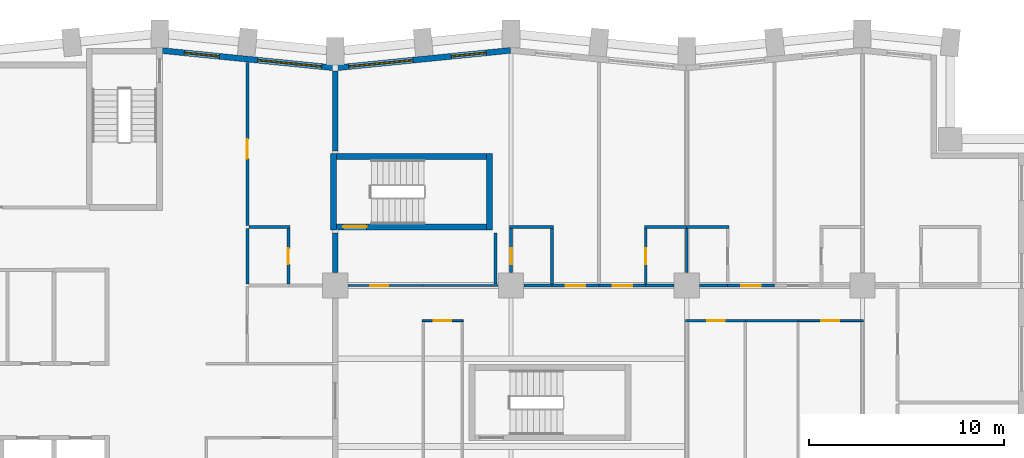
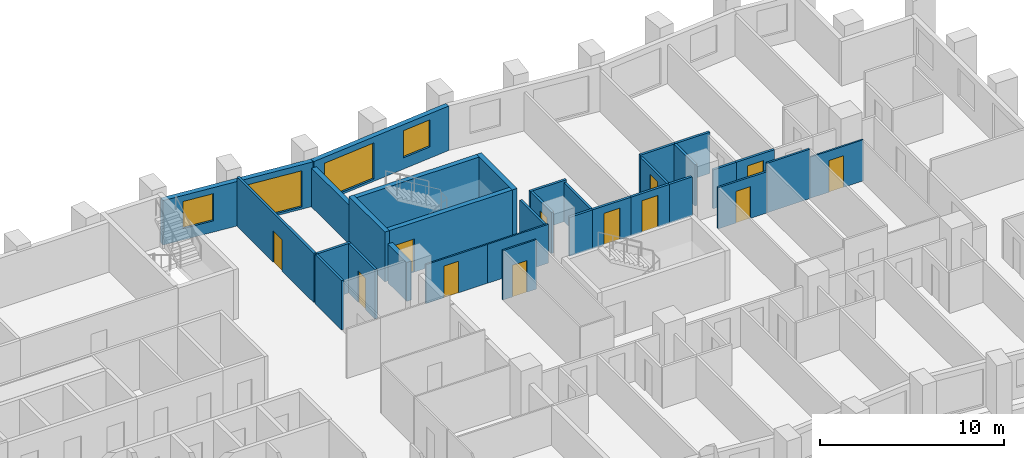
# One storey, part 9 of 13: 32 walls, 12 doors, 4 windows, 16 openings.
"""IFC4 building model written with IfcOpenShell, lengths in metres."""

from ifc_helpers import new_model, si_unit, direction, frame, frame_2d, origin, place, context, subcontext, project, spatial, rectangle, extrude, material, layer, layer_set, type_object, element, fill, save


model = new_model("IFC4")

# Units and contexts
model_context = context("Model", 3, precision=1e-05, world=origin(), true_north=direction((0.0, 1.0)))
body_context = subcontext(model_context, "Body", "Model", "MODEL_VIEW")
ifc_project = project(units=[si_unit("LENGTHUNIT", "METRE"), si_unit("AREAUNIT", "SQUARE_METRE"), si_unit("VOLUMEUNIT", "CUBIC_METRE"), si_unit("PLANEANGLEUNIT", "RADIAN"), si_unit("MASSUNIT", "GRAM", prefix="KILO")], contexts=[model_context])

# Site, building, storey
site_placement = place(None, origin())
site = spatial("IfcSite", under=ifc_project, at=site_placement, CompositionType="ELEMENT")
building_placement = place(site_placement, origin())
building = spatial("IfcBuilding", under=site, at=building_placement, Name="Brondeck Convention Tower", CompositionType="ELEMENT")
storey_placement = place(building_placement, frame((0.0, 0.0, 41.10009765625)))
storey = spatial("IfcBuildingStorey", under=building, at=storey_placement, Name="L07", CompositionType="ELEMENT", Elevation=41.10009765625)

# Walls
ifc_material_1 = material(Name="Concrete compartment wall C30/37", Category="concrete")
ifc_layer_1 = layer(ifc_material_1, 0.300048828125)
ifc_layer_set_1 = layer_set([ifc_layer_1], Name="Compartment wall 300")
wall_type_1 = type_object("IfcWallType", Name="Compartment wall 300", PredefinedType="PARTITIONING", material=ifc_layer_set_1)
wall_1_placement = place(storey_placement, frame((36.0, 53.699951171875, 0.0), z_axis=(0.0, 0.0, 1.0), x_axis=(0.0, -1.0, 0.0)))
element("IfcWall", 1, at=wall_1_placement, inside=storey, type_object=wall_type_1, Name="FLR-L07-W147", PredefinedType="PARTITIONING", context=body_context, shape_type="SweptSolid", body=[
    extrude(rectangle(XDim=2.044921875, YDim=0.300048828125, at=frame_2d((1.0224609375, 0.0))), origin(), (0.0, 0.0, 1.0), 2.579833984375),
])
wall_2_placement = place(storey_placement, frame((36.0, 61.97509765625, 0.0), z_axis=(0.0, 0.0, 1.0), x_axis=(0.0, -1.0, 0.0)))
element("IfcWall", 2, at=wall_2_placement, inside=storey, type_object=wall_type_1, Name="FLR-L07-W162", PredefinedType="PARTITIONING", context=body_context, shape_type="SweptSolid", body=[
    extrude(rectangle(XDim=4.0751953125, YDim=0.300048828125, at=frame_2d((2.03759765625, 0.0))), origin(), (0.0, 0.0, 1.0), 2.579833984375),
])

# Wall, openings, windows
ifc_material_2 = material(Name="Precast concrete C50/60 bronze finish", Category="concrete")
ifc_layer_2 = layer(ifc_material_2, 0.070068359375, Name="Bronze precast facing")
ifc_material_3 = material(Name="Mineral wool")
ifc_layer_3 = layer(ifc_material_3, 0.159912109375, Name="Insulation")
ifc_material_4 = material(Name="Concrete C35/45", Category="concrete")
ifc_layer_4 = layer(ifc_material_4, 0.070068359375, Name="Backing")
ifc_layer_set_2 = layer_set([ifc_layer_2, ifc_layer_3, ifc_layer_4], Name="External infill wall, precast concrete C50/60 bronze facing")
wall_type_2 = type_object("IfcWallType", Name="External infill wall, precast concrete C50/60 bronze facing", PredefinedType="SOLIDWALL", material=ifc_layer_set_2)
wall_3_placement = place(storey_placement, frame((35.985107421875, 62.144287109375, 0.0), z_axis=(0.0, 0.0, 1.0), x_axis=(0.995037993253, 0.099495688264, 0.0)))
wall_3 = element("IfcWall", 3, at=wall_3_placement, inside=storey, type_object=wall_type_2, Name="ENV-EW-L07-P0-A-N-09", PredefinedType="SOLIDWALL", context=body_context, shape_type="SweptSolid", body=[
    extrude(rectangle(XDim=9.030029296875, YDim=0.300048828125, at=frame_2d((4.51513671875, 0.0))), origin(), (0.0, 0.0, 1.0), 2.949951171875),
])
opening_1_placement = place(wall_3_placement, frame((0.711181640625, 0.0, 0.14990234375)))
opening_1 = element("IfcOpeningElement", 4, at=opening_1_placement, cuts=wall_3, Name="Opening W9", PredefinedType="OPENING", context=body_context, shape_type="SweptSolid", body=[
    extrude(rectangle(XDim=3.300048828125, YDim=2.39990234375, at=frame_2d((1.64990234375, 1.199951171875))), frame((0.0, 0.159912109375, 0.0), z_axis=(0.0, -1.0, 0.0), x_axis=(1.0, 0.0, 0.0)), (0.0, 0.0, 1.0), 0.320068359375),
])
opening_2_placement = place(wall_3_placement, frame((5.983642578125, 0.0, 0.75)))
opening_2 = element("IfcOpeningElement", 5, at=opening_2_placement, cuts=wall_3, Name="Opening W10", PredefinedType="OPENING", context=body_context, shape_type="SweptSolid", body=[
    extrude(rectangle(XDim=1.800048828125, YDim=1.800048828125, at=frame_2d((0.89990234375, 0.89990234375))), frame((0.0, 0.159912109375, 0.0), z_axis=(0.0, -1.0, 0.0), x_axis=(1.0, 0.0, 0.0)), (0.0, 0.0, 1.0), 0.320068359375),
])
ifc_material_5 = material(Name="Bronze tinted double glazing", Category="glass")
window_type_1 = type_object("IfcWindowType", Name="Glazed flute window, bronze tinted", PartitioningType="SINGLE_PANEL", PredefinedType="WINDOW", material=ifc_material_5)
window_1_placement = place(opening_1_placement, origin())
window_1 = element("IfcWindow", 6, at=window_1_placement, inside=storey, type_object=window_type_1, Name="ENV-WN-L07-P0-A-N-08", OverallHeight=2.39990234375, OverallWidth=3.300048828125, PartitioningType="SINGLE_PANEL", PredefinedType="WINDOW", context=body_context, shape_type="SweptSolid", body=[
    extrude(rectangle(XDim=3.300048828125, YDim=2.39990234375, at=frame_2d((1.64990234375, 1.199951171875))), frame((0.0, 0.030029296875, 0.0), z_axis=(0.0, -1.0, 0.0), x_axis=(1.0, 0.0, 0.0)), (0.0, 0.0, 1.0), 0.06005859375),
])
fill(opening_1, window_1)
window_type_2 = type_object("IfcWindowType", Name="Punched window, bronze tinted", PartitioningType="SINGLE_PANEL", PredefinedType="WINDOW", material=ifc_material_5)
window_2_placement = place(opening_2_placement, origin())
window_2 = element("IfcWindow", 7, at=window_2_placement, inside=storey, type_object=window_type_2, Name="ENV-WN-L07-P0-A-N-09", OverallHeight=1.800048828125, OverallWidth=1.800048828125, PartitioningType="SINGLE_PANEL", PredefinedType="WINDOW", context=body_context, shape_type="SweptSolid", body=[
    extrude(rectangle(XDim=1.800048828125, YDim=1.800048828125, at=frame_2d((0.89990234375, 0.89990234375))), frame((0.0, 0.030029296875, 0.0), z_axis=(0.0, -1.0, 0.0), x_axis=(1.0, 0.0, 0.0)), (0.0, 0.0, 1.0), 0.06005859375),
])
fill(opening_2, window_2)

wall_4_placement = place(storey_placement, frame((27.064697265625, 63.039306640625, 0.0), z_axis=(0.0, 0.0, 1.0), x_axis=(0.995036379926, -0.099511821531, 0.0)))
wall_4 = element("IfcWall", 8, at=wall_4_placement, inside=storey, type_object=wall_type_2, Name="ENV-EW-L07-P0-A-N-07", PredefinedType="SOLIDWALL", context=body_context, shape_type="SweptSolid", body=[
    extrude(rectangle(XDim=8.949951171875, YDim=0.300048828125, at=frame_2d((4.47509765625, 0.0))), origin(), (0.0, 0.0, 1.0), 2.949951171875),
])
opening_3_placement = place(wall_4_placement, frame((1.211181640625, 0.0, 0.75)))
opening_3 = element("IfcOpeningElement", 9, at=opening_3_placement, cuts=wall_4, Name="Opening W10", PredefinedType="OPENING", context=body_context, shape_type="SweptSolid", body=[
    extrude(rectangle(XDim=1.800048828125, YDim=1.800048828125, at=frame_2d((0.89990234375, 0.89990234375))), frame((0.0, 0.159912109375, 0.0), z_axis=(0.0, -1.0, 0.0), x_axis=(1.0, 0.0, 0.0)), (0.0, 0.0, 1.0), 0.320068359375),
])
opening_4_placement = place(wall_4_placement, frame((4.983642578125, 0.0, 0.14990234375)))
opening_4 = element("IfcOpeningElement", 10, at=opening_4_placement, cuts=wall_4, Name="Opening W9", PredefinedType="OPENING", context=body_context, shape_type="SweptSolid", body=[
    extrude(rectangle(XDim=3.300048828125, YDim=2.39990234375, at=frame_2d((1.64990234375, 1.199951171875))), frame((0.0, 0.159912109375, 0.0), z_axis=(0.0, -1.0, 0.0), x_axis=(1.0, 0.0, 0.0)), (0.0, 0.0, 1.0), 0.320068359375),
])
window_3_placement = place(opening_4_placement, origin())
window_3 = element("IfcWindow", 11, at=window_3_placement, inside=storey, type_object=window_type_1, Name="ENV-WN-L07-P0-A-N-07", OverallHeight=2.39990234375, OverallWidth=3.300048828125, PartitioningType="SINGLE_PANEL", PredefinedType="WINDOW", context=body_context, shape_type="SweptSolid", body=[
    extrude(rectangle(XDim=3.300048828125, YDim=2.39990234375, at=frame_2d((1.64990234375, 1.199951171875))), frame((0.0, 0.030029296875, 0.0), z_axis=(0.0, -1.0, 0.0), x_axis=(1.0, 0.0, 0.0)), (0.0, 0.0, 1.0), 0.06005859375),
])
fill(opening_4, window_3)
window_4_placement = place(opening_3_placement, origin())
window_4 = element("IfcWindow", 12, at=window_4_placement, inside=storey, type_object=window_type_2, Name="ENV-WN-L07-P0-A-N-06", OverallHeight=1.800048828125, OverallWidth=1.800048828125, PartitioningType="SINGLE_PANEL", PredefinedType="WINDOW", context=body_context, shape_type="SweptSolid", body=[
    extrude(rectangle(XDim=1.800048828125, YDim=1.800048828125, at=frame_2d((0.89990234375, 0.89990234375))), frame((0.0, 0.030029296875, 0.0), z_axis=(0.0, -1.0, 0.0), x_axis=(1.0, 0.0, 0.0)), (0.0, 0.0, 1.0), 0.06005859375),
])
fill(opening_3, window_4)

# Wall
ifc_material_6 = material(Name="Double gypsum board acoustic wall")
ifc_layer_5 = layer(ifc_material_6, 0.14990234375)
ifc_layer_set_3 = layer_set([ifc_layer_5], Name="Guest room party wall 150")
wall_type_3 = type_object("IfcWallType", Name="Guest room party wall 150", PredefinedType="PARTITIONING", material=ifc_layer_set_3)
wall_5_placement = place(storey_placement, frame((45.655029296875, 51.0, 0.0), z_axis=(0.0, 0.0, 1.0), x_axis=(1.0, 0.0, 0.0)))
element("IfcWall", 13, at=wall_5_placement, inside=storey, type_object=wall_type_3, Name="FLR-L07-W133", PredefinedType="PARTITIONING", context=body_context, shape_type="SweptSolid", body=[
    extrude(rectangle(XDim=1.445068359375, YDim=0.14990234375, at=frame_2d((0.72265625, 0.0))), origin(), (0.0, 0.0, 1.0), 2.579833984375),
])

# Wall, opening, door
wall_6_placement = place(storey_placement, frame((47.10009765625, 51.0, 0.0), z_axis=(0.0, 0.0, 1.0), x_axis=(1.0, 0.0, 0.0)))
wall_6 = element("IfcWall", 14, at=wall_6_placement, inside=storey, type_object=wall_type_3, Name="FLR-L07-W134", PredefinedType="PARTITIONING", context=body_context, shape_type="SweptSolid", body=[
    extrude(rectangle(XDim=2.39990234375, YDim=0.14990234375, at=frame_2d((1.199951171875, 0.0))), origin(), (0.0, 0.0, 1.0), 2.579833984375),
])
opening_5_placement = place(wall_6_placement, frame((0.699951171875, 0.0, 0.0)))
opening_5 = element("IfcOpeningElement", 15, at=opening_5_placement, cuts=wall_6, Name="Opening H1-002", PredefinedType="OPENING", context=body_context, shape_type="SweptSolid", body=[
    extrude(rectangle(XDim=1.0, YDim=2.10009765625, at=frame_2d((0.5, 1.050048828125))), frame((0.0, 0.0849609375, 0.0), z_axis=(0.0, -1.0, 0.0), x_axis=(1.0, 0.0, 0.0)), (0.0, 0.0, 1.0), 0.169921875),
])
ifc_material_7 = material(Name="Solid timber fire door leaf", Category="wood")
door_type_1 = type_object("IfcDoorType", Name="Guest room door 1000", OperationType="NOTDEFINED", PredefinedType="DOOR", material=ifc_material_7)
door_1_placement = place(opening_5_placement, origin())
door_1 = element("IfcDoor", 16, at=door_1_placement, inside=storey, type_object=door_type_1, Name="Door H1-002", OperationType="SINGLE_SWING_LEFT", OverallHeight=2.10009765625, OverallWidth=1.0, PredefinedType="DOOR", context=body_context, shape_type="SweptSolid", body=[
    extrude(rectangle(XDim=1.0, YDim=2.10009765625, at=frame_2d((0.5, 1.050048828125))), frame((0.0, 0.02490234375, 0.0), z_axis=(0.0, -1.0, 0.0), x_axis=(1.0, 0.0, 0.0)), (0.0, 0.0, 1.0), 0.050048828125),
])
fill(opening_5, door_1)

wall_7_placement = place(storey_placement, frame((49.5, 51.0, 0.0), z_axis=(0.0, 0.0, 1.0), x_axis=(1.0, 0.0, 0.0)))
wall_7 = element("IfcWall", 17, at=wall_7_placement, inside=storey, type_object=wall_type_3, Name="FLR-L07-W135", PredefinedType="PARTITIONING", context=body_context, shape_type="SweptSolid", body=[
    extrude(rectangle(XDim=2.39990234375, YDim=0.14990234375, at=frame_2d((1.199951171875, 0.0))), origin(), (0.0, 0.0, 1.0), 2.579833984375),
])
opening_6_placement = place(wall_7_placement, frame((0.699951171875, 0.0, 0.0)))
opening_6 = element("IfcOpeningElement", 18, at=opening_6_placement, cuts=wall_7, Name="Opening H1-004", PredefinedType="OPENING", context=body_context, shape_type="SweptSolid", body=[
    extrude(rectangle(XDim=1.0, YDim=2.10009765625, at=frame_2d((0.5, 1.050048828125))), frame((0.0, 0.0849609375, 0.0), z_axis=(0.0, -1.0, 0.0), x_axis=(1.0, 0.0, 0.0)), (0.0, 0.0, 1.0), 0.169921875),
])
door_2_placement = place(opening_6_placement, origin())
door_2 = element("IfcDoor", 19, at=door_2_placement, inside=storey, type_object=door_type_1, Name="Door H1-004", OperationType="SINGLE_SWING_LEFT", OverallHeight=2.10009765625, OverallWidth=1.0, PredefinedType="DOOR", context=body_context, shape_type="SweptSolid", body=[
    extrude(rectangle(XDim=1.0, YDim=2.10009765625, at=frame_2d((0.5, 1.050048828125))), frame((0.0, 0.02490234375, 0.0), z_axis=(0.0, -1.0, 0.0), x_axis=(1.0, 0.0, 0.0)), (0.0, 0.0, 1.0), 0.050048828125),
])
fill(opening_6, door_2)

# Walls
for number, where, z_axis, x_axis, name in (
    (20, (51.89990234375, 51.0, 0.0), (0.0, 0.0, 1.0), (1.0, 0.0, 0.0), "FLR-L07-W136"),
    (21, (54.655029296875, 51.0, 0.0), (0.0, 0.0, 1.0), (1.0, 0.0, 0.0), "FLR-L07-W137"),
):
    element("IfcWall", number, at=place(storey_placement, frame(where, z_axis=z_axis, x_axis=x_axis)), inside=storey, type_object=wall_type_3, Name=name, PredefinedType="PARTITIONING", context=body_context, shape_type="SweptSolid", body=[
        extrude(rectangle(XDim=1.445068359375, YDim=0.14990234375, at=frame_2d((0.72265625, 0.0))), origin(), (0.0, 0.0, 1.0), 2.579833984375),
    ])

# Wall, opening, door
wall_8_placement = place(storey_placement, frame((56.10009765625, 51.0, 0.0), z_axis=(0.0, 0.0, 1.0), x_axis=(1.0, 0.0, 0.0)))
wall_8 = element("IfcWall", 22, at=wall_8_placement, inside=storey, type_object=wall_type_3, Name="FLR-L07-W138", PredefinedType="PARTITIONING", context=body_context, shape_type="SweptSolid", body=[
    extrude(rectangle(XDim=2.39990234375, YDim=0.14990234375, at=frame_2d((1.199951171875, 0.0))), origin(), (0.0, 0.0, 1.0), 2.579833984375),
])
opening_7_placement = place(wall_8_placement, frame((0.699951171875, 0.0, 0.0)))
opening_7 = element("IfcOpeningElement", 23, at=opening_7_placement, cuts=wall_8, Name="Opening H1-006", PredefinedType="OPENING", context=body_context, shape_type="SweptSolid", body=[
    extrude(rectangle(XDim=1.0, YDim=2.10009765625, at=frame_2d((0.5, 1.050048828125))), frame((0.0, 0.0849609375, 0.0), z_axis=(0.0, -1.0, 0.0), x_axis=(1.0, 0.0, 0.0)), (0.0, 0.0, 1.0), 0.169921875),
])
door_3_placement = place(opening_7_placement, origin())
door_3 = element("IfcDoor", 24, at=door_3_placement, inside=storey, type_object=door_type_1, Name="Door H1-006", OperationType="SINGLE_SWING_LEFT", OverallHeight=2.10009765625, OverallWidth=1.0, PredefinedType="DOOR", context=body_context, shape_type="SweptSolid", body=[
    extrude(rectangle(XDim=1.0, YDim=2.10009765625, at=frame_2d((0.5, 1.050048828125))), frame((0.0, 0.02490234375, 0.0), z_axis=(0.0, -1.0, 0.0), x_axis=(1.0, 0.0, 0.0)), (0.0, 0.0, 1.0), 0.050048828125),
])
fill(opening_7, door_3)

wall_9_placement = place(storey_placement, frame((33.60009765625, 51.074951171875, 0.0), z_axis=(0.0, 0.0, 1.0), x_axis=(0.0, 1.0, 0.0)))
wall_9 = element("IfcWall", 25, at=wall_9_placement, inside=storey, type_object=wall_type_3, Name="FLR-L07-W143", PredefinedType="PARTITIONING", context=body_context, shape_type="SweptSolid", body=[
    extrude(rectangle(XDim=2.85009765625, YDim=0.14990234375, at=frame_2d((1.425048828125, 0.0))), origin(), (0.0, 0.0, 1.0), 3.27978515625),
])
opening_8_placement = place(wall_9_placement, frame((1.02490234375, 0.0, 0.0)))
opening_8 = element("IfcOpeningElement", 26, at=opening_8_placement, cuts=wall_9, Name="Opening H1-047", PredefinedType="OPENING", context=body_context, shape_type="SweptSolid", body=[
    extrude(rectangle(XDim=0.800048828125, YDim=2.10009765625, at=frame_2d((0.39990234375, 1.050048828125))), frame((0.0, 0.0849609375, 0.0), z_axis=(0.0, -1.0, 0.0), x_axis=(1.0, 0.0, 0.0)), (0.0, 0.0, 1.0), 0.169921875),
])
ifc_material_8 = material(Name="Solid timber door leaf", Category="wood")
door_type_2 = type_object("IfcDoorType", Name="En-suite door 800", OperationType="NOTDEFINED", PredefinedType="DOOR", material=ifc_material_8)
door_4_placement = place(opening_8_placement, origin())
door_4 = element("IfcDoor", 27, at=door_4_placement, inside=storey, type_object=door_type_2, Name="Door H1-047", OperationType="SINGLE_SWING_LEFT", OverallHeight=2.10009765625, OverallWidth=0.800048828125, PredefinedType="DOOR", context=body_context, shape_type="SweptSolid", body=[
    extrude(rectangle(XDim=0.800048828125, YDim=2.10009765625, at=frame_2d((0.39990234375, 1.050048828125))), frame((0.0, 0.02490234375, 0.0), z_axis=(0.0, -1.0, 0.0), x_axis=(1.0, 0.0, 0.0)), (0.0, 0.0, 1.0), 0.050048828125),
])
fill(opening_8, door_4)

# Walls
wall_10_placement = place(storey_placement, frame((47.10009765625, 51.074951171875, 0.0), z_axis=(0.0, 0.0, 1.0), x_axis=(0.0, 1.0, 0.0)))
element("IfcWall", 28, at=wall_10_placement, inside=storey, type_object=wall_type_3, Name="FLR-L07-W144", PredefinedType="PARTITIONING", context=body_context, shape_type="SweptSolid", body=[
    extrude(rectangle(XDim=2.85009765625, YDim=0.14990234375, at=frame_2d((1.425048828125, 0.0))), origin(), (0.0, 0.0, 1.0), 2.579833984375),
])
wall_11_placement = place(storey_placement, frame((44.199951171875, 53.699951171875, 0.0), z_axis=(0.0, 0.0, 1.0), x_axis=(0.0, -1.0, 0.0)))
element("IfcWall", 29, at=wall_11_placement, inside=storey, type_object=wall_type_3, Name="FLR-L07-W148", PredefinedType="PARTITIONING", context=body_context, shape_type="SweptSolid", body=[
    extrude(rectangle(XDim=2.625, YDim=0.14990234375, at=frame_2d((1.3125, 0.0))), origin(), (0.0, 0.0, 1.0), 2.579833984375),
])
wall_12_placement = place(storey_placement, frame((31.5, 53.925048828125, 0.0), z_axis=(0.0, 0.0, 1.0), x_axis=(0.0, -1.0, 0.0)))
element("IfcWall", 30, at=wall_12_placement, inside=storey, type_object=wall_type_3, Name="FLR-L07-W149", PredefinedType="PARTITIONING", context=body_context, shape_type="SweptSolid", body=[
    extrude(rectangle(XDim=2.85009765625, YDim=0.14990234375, at=frame_2d((1.425048828125, 0.0))), origin(), (0.0, 0.0, 1.0), 3.27978515625),
])

# Wall, opening, door
wall_13_placement = place(storey_placement, frame((45.0, 53.925048828125, 0.0), z_axis=(0.0, 0.0, 1.0), x_axis=(0.0, -1.0, 0.0)))
wall_13 = element("IfcWall", 31, at=wall_13_placement, inside=storey, type_object=wall_type_3, Name="FLR-L07-W150", PredefinedType="PARTITIONING", context=body_context, shape_type="SweptSolid", body=[
    extrude(rectangle(XDim=2.27001953125, YDim=0.14990234375, at=frame_2d((1.135009765625, 0.0))), origin(), (0.0, 0.0, 1.0), 2.72998046875),
])
opening_9_placement = place(wall_13_placement, frame((1.02490234375, 0.0, 0.0)))
opening_9 = element("IfcOpeningElement", 32, at=opening_9_placement, cuts=wall_13, Name="Opening H1-003", PredefinedType="OPENING", context=body_context, shape_type="SweptSolid", body=[
    extrude(rectangle(XDim=0.800048828125, YDim=2.10009765625, at=frame_2d((0.39990234375, 1.050048828125))), frame((0.0, 0.0849609375, 0.0), z_axis=(0.0, -1.0, 0.0), x_axis=(1.0, 0.0, 0.0)), (0.0, 0.0, 1.0), 0.169921875),
])
door_5_placement = place(opening_9_placement, origin())
door_5 = element("IfcDoor", 33, at=door_5_placement, inside=storey, type_object=door_type_2, Name="Door H1-003", OperationType="SINGLE_SWING_RIGHT", OverallHeight=2.10009765625, OverallWidth=0.800048828125, PredefinedType="DOOR", context=body_context, shape_type="SweptSolid", body=[
    extrude(rectangle(XDim=0.800048828125, YDim=2.10009765625, at=frame_2d((0.39990234375, 1.050048828125))), frame((0.0, 0.02490234375, 0.0), z_axis=(0.0, -1.0, 0.0), x_axis=(1.0, 0.0, 0.0)), (0.0, 0.0, 1.0), 0.050048828125),
])
fill(opening_9, door_5)

wall_14_placement = place(storey_placement, frame((51.89990234375, 53.925048828125, 0.0), z_axis=(0.0, 0.0, 1.0), x_axis=(0.0, -1.0, 0.0)))
wall_14 = element("IfcWall", 34, at=wall_14_placement, inside=storey, type_object=wall_type_3, Name="FLR-L07-W151", PredefinedType="PARTITIONING", context=body_context, shape_type="SweptSolid", body=[
    extrude(rectangle(XDim=2.85009765625, YDim=0.14990234375, at=frame_2d((1.425048828125, 0.0))), origin(), (0.0, 0.0, 1.0), 2.579833984375),
])
opening_10_placement = place(wall_14_placement, frame((1.02490234375, 0.0, 0.0)))
opening_10 = element("IfcOpeningElement", 35, at=opening_10_placement, cuts=wall_14, Name="Opening H1-005", PredefinedType="OPENING", context=body_context, shape_type="SweptSolid", body=[
    extrude(rectangle(XDim=0.800048828125, YDim=2.10009765625, at=frame_2d((0.39990234375, 1.050048828125))), frame((0.0, 0.0849609375, 0.0), z_axis=(0.0, -1.0, 0.0), x_axis=(1.0, 0.0, 0.0)), (0.0, 0.0, 1.0), 0.169921875),
])
door_6_placement = place(opening_10_placement, origin())
door_6 = element("IfcDoor", 36, at=door_6_placement, inside=storey, type_object=door_type_2, Name="Door H1-005", OperationType="SINGLE_SWING_LEFT", OverallHeight=2.10009765625, OverallWidth=0.800048828125, PredefinedType="DOOR", context=body_context, shape_type="SweptSolid", body=[
    extrude(rectangle(XDim=0.800048828125, YDim=2.10009765625, at=frame_2d((0.39990234375, 1.050048828125))), frame((0.0, 0.02490234375, 0.0), z_axis=(0.0, -1.0, 0.0), x_axis=(1.0, 0.0, 0.0)), (0.0, 0.0, 1.0), 0.050048828125),
])
fill(opening_10, door_6)

# Walls
wall_15_placement = place(storey_placement, frame((54.0, 53.925048828125, 0.0), z_axis=(0.0, 0.0, 1.0), x_axis=(0.0, -1.0, 0.0)))
element("IfcWall", 37, at=wall_15_placement, inside=storey, type_object=wall_type_3, Name="FLR-L07-W152", PredefinedType="PARTITIONING", context=body_context, shape_type="SweptSolid", body=[
    extrude(rectangle(XDim=2.27001953125, YDim=0.14990234375, at=frame_2d((1.135009765625, 0.0))), origin(), (0.0, 0.0, 1.0), 2.72998046875),
])
wall_16_placement = place(storey_placement, frame((33.675048828125, 54.0, 0.0), z_axis=(0.0, 0.0, 1.0), x_axis=(-1.0, 0.0, 0.0)))
element("IfcWall", 38, at=wall_16_placement, inside=storey, type_object=wall_type_3, Name="FLR-L07-W156", PredefinedType="PARTITIONING", context=body_context, shape_type="SweptSolid", body=[
    extrude(rectangle(XDim=2.10009765625, YDim=0.14990234375, at=frame_2d((1.050048828125, 0.0))), origin(), (0.0, 0.0, 1.0), 3.27978515625),
])
wall_17_placement = place(storey_placement, frame((47.175048828125, 54.0, 0.0), z_axis=(0.0, 0.0, 1.0), x_axis=(-1.0, 0.0, 0.0)))
element("IfcWall", 39, at=wall_17_placement, inside=storey, type_object=wall_type_3, Name="FLR-L07-W157", PredefinedType="PARTITIONING", context=body_context, shape_type="SweptSolid", body=[
    extrude(rectangle(XDim=2.25, YDim=0.14990234375, at=frame_2d((1.125, 0.0))), origin(), (0.0, 0.0, 1.0), 2.72998046875),
])
for number, where, z_axis, x_axis, name in (
    (40, (54.0, 54.0, 0.0), (0.0, 0.0, 1.0), (-1.0, 0.0, 0.0), "FLR-L07-W158"),
    (41, (56.175048828125, 54.0, 0.0), (0.0, 0.0, 1.0), (-1.0, 0.0, 0.0), "FLR-L07-W159"),
):
    element("IfcWall", number, at=place(storey_placement, frame(where, z_axis=z_axis, x_axis=x_axis)), inside=storey, type_object=wall_type_3, Name=name, PredefinedType="PARTITIONING", context=body_context, shape_type="SweptSolid", body=[
        extrude(rectangle(XDim=2.175048828125, YDim=0.14990234375, at=frame_2d((1.08740234375, 0.0))), origin(), (0.0, 0.0, 1.0), 2.72998046875),
    ])

# Wall, opening, door
wall_18_placement = place(storey_placement, frame((31.5, 62.425048828125, 0.0), z_axis=(0.0, 0.0, 1.0), x_axis=(0.0, -1.0, 0.0)))
wall_18 = element("IfcWall", 42, at=wall_18_placement, inside=storey, type_object=wall_type_3, Name="FLR-L07-W164", PredefinedType="PARTITIONING", context=body_context, shape_type="SweptSolid", body=[
    extrude(rectangle(XDim=8.35009765625, YDim=0.14990234375, at=frame_2d((4.175048828125, 0.0))), origin(), (0.0, 0.0, 1.0), 3.27978515625),
])
opening_11_placement = place(wall_18_placement, frame((3.925048828125, 0.0, 0.0)))
opening_11 = element("IfcOpeningElement", 43, at=opening_11_placement, cuts=wall_18, Name="Opening H1-046", PredefinedType="OPENING", context=body_context, shape_type="SweptSolid", body=[
    extrude(rectangle(XDim=1.0, YDim=2.10009765625, at=frame_2d((0.5, 1.050048828125))), frame((0.0, 0.0849609375, 0.0), z_axis=(0.0, -1.0, 0.0), x_axis=(1.0, 0.0, 0.0)), (0.0, 0.0, 1.0), 0.169921875),
])
door_7_placement = place(opening_11_placement, origin())
door_7 = element("IfcDoor", 44, at=door_7_placement, inside=storey, type_object=door_type_1, Name="Door H1-046", OperationType="SINGLE_SWING_LEFT", OverallHeight=2.10009765625, OverallWidth=1.0, PredefinedType="DOOR", context=body_context, shape_type="SweptSolid", body=[
    extrude(rectangle(XDim=1.0, YDim=2.10009765625, at=frame_2d((0.5, 1.050048828125))), frame((0.0, 0.02490234375, 0.0), z_axis=(0.0, -1.0, 0.0), x_axis=(1.0, 0.0, 0.0)), (0.0, 0.0, 1.0), 0.050048828125),
])
fill(opening_11, door_7)

ifc_material_9 = material(Name="Gypsum board shaft wall on steel studs", Category="steel")
ifc_layer_6 = layer(ifc_material_9, 0.125)
ifc_layer_set_4 = layer_set([ifc_layer_6], Name="Riser wall 125")
wall_type_4 = type_object("IfcWallType", Name="Riser wall 125", PredefinedType="PARTITIONING", material=ifc_layer_set_4)
wall_19_placement = place(storey_placement, frame((57.0, 49.199951171875, 0.0), z_axis=(0.0, 0.0, 1.0), x_axis=(-1.0, 0.0, 0.0)))
wall_19 = element("IfcWall", 45, at=wall_19_placement, inside=storey, type_object=wall_type_4, Name="FLR-L07-W123", PredefinedType="PARTITIONING", context=body_context, shape_type="SweptSolid", body=[
    extrude(rectangle(XDim=3.0625, YDim=0.125, at=frame_2d((1.53125, 0.0))), origin(), (0.0, 0.0, 1.0), 2.72998046875),
])
opening_12_placement = place(wall_19_placement, frame((1.050048828125, 0.0, 0.0)))
opening_12 = element("IfcOpeningElement", 46, at=opening_12_placement, cuts=wall_19, Name="Opening H1-023", PredefinedType="OPENING", context=body_context, shape_type="SweptSolid", body=[
    extrude(rectangle(XDim=0.89990234375, YDim=2.10009765625, at=frame_2d((0.449951171875, 1.050048828125))), frame((0.0, 0.072509765625, 0.0), z_axis=(0.0, -1.0, 0.0), x_axis=(1.0, 0.0, 0.0)), (0.0, 0.0, 1.0), 0.14501953125),
])
door_type_3 = type_object("IfcDoorType", Name="Single door 900", OperationType="NOTDEFINED", PredefinedType="DOOR", material=ifc_material_8)
door_8_placement = place(opening_12_placement, origin())
door_8 = element("IfcDoor", 47, at=door_8_placement, inside=storey, type_object=door_type_3, Name="Door H1-023", OperationType="SINGLE_SWING_LEFT", OverallHeight=2.10009765625, OverallWidth=0.89990234375, PredefinedType="DOOR", context=body_context, shape_type="SweptSolid", body=[
    extrude(rectangle(XDim=0.89990234375, YDim=2.10009765625, at=frame_2d((0.449951171875, 1.050048828125))), frame((0.0, 0.02490234375, 0.0), z_axis=(0.0, -1.0, 0.0), x_axis=(1.0, 0.0, 0.0)), (0.0, 0.0, 1.0), 0.050048828125),
])
fill(opening_12, door_8)

# Wall
wall_20_placement = place(storey_placement, frame((59.699951171875, 49.199951171875, 0.0), z_axis=(0.0, 0.0, 1.0), x_axis=(-1.0, 0.0, 0.0)))
element("IfcWall", 48, at=wall_20_placement, inside=storey, type_object=wall_type_4, Name="FLR-L07-W124", PredefinedType="PARTITIONING", context=body_context, shape_type="SweptSolid", body=[
    extrude(rectangle(XDim=2.699951171875, YDim=0.125, at=frame_2d((1.35009765625, 0.0))), origin(), (0.0, 0.0, 1.0), 3.27978515625),
])

# Wall, opening, door
ifc_material_10 = material(Name="Gypsum board partition on steel studs", Category="steel")
ifc_layer_7 = layer(ifc_material_10, 0.10009765625)
ifc_layer_set_5 = layer_set([ifc_layer_7], Name="Room partition 100")
wall_type_5 = type_object("IfcWallType", Name="Room partition 100", PredefinedType="PARTITIONING", material=ifc_layer_set_5)
wall_21_placement = place(storey_placement, frame((42.550048828125, 49.199951171875, 0.0), z_axis=(0.0, 0.0, 1.0), x_axis=(-1.0, 0.0, 0.0)))
wall_21 = element("IfcWall", 49, at=wall_21_placement, inside=storey, type_object=wall_type_5, Name="FLR-L07-W122", PredefinedType="PARTITIONING", context=body_context, shape_type="SweptSolid", body=[
    extrude(rectangle(XDim=2.10009765625, YDim=0.10009765625, at=frame_2d((1.050048828125, 0.0))), origin(), (0.0, 0.0, 1.0), 3.27978515625),
])
opening_13_placement = place(wall_21_placement, frame((0.60009765625, 0.0, 0.0)))
opening_13 = element("IfcOpeningElement", 50, at=opening_13_placement, cuts=wall_21, Name="Opening H1-022", PredefinedType="OPENING", context=body_context, shape_type="SweptSolid", body=[
    extrude(rectangle(XDim=0.89990234375, YDim=2.10009765625, at=frame_2d((0.449951171875, 1.050048828125))), frame((0.0, 0.06005859375, 0.0), z_axis=(0.0, -1.0, 0.0), x_axis=(1.0, 0.0, 0.0)), (0.0, 0.0, 1.0), 0.1201171875),
])
door_9_placement = place(opening_13_placement, origin())
door_9 = element("IfcDoor", 51, at=door_9_placement, inside=storey, type_object=door_type_3, Name="Door H1-022", OperationType="SINGLE_SWING_LEFT", OverallHeight=2.10009765625, OverallWidth=0.89990234375, PredefinedType="DOOR", context=body_context, shape_type="SweptSolid", body=[
    extrude(rectangle(XDim=0.89990234375, YDim=2.10009765625, at=frame_2d((0.449951171875, 1.050048828125))), frame((0.0, 0.02490234375, 0.0), z_axis=(0.0, -1.0, 0.0), x_axis=(1.0, 0.0, 0.0)), (0.0, 0.0, 1.0), 0.050048828125),
])
fill(opening_13, door_9)

wall_22_placement = place(storey_placement, frame((63.050048828125, 49.199951171875, 0.0), z_axis=(0.0, 0.0, 1.0), x_axis=(-1.0, 0.0, 0.0)))
wall_22 = element("IfcWall", 52, at=wall_22_placement, inside=storey, type_object=wall_type_5, Name="FLR-L07-W125", PredefinedType="PARTITIONING", context=body_context, shape_type="SweptSolid", body=[
    extrude(rectangle(XDim=3.35009765625, YDim=0.10009765625, at=frame_2d((1.675048828125, 0.0))), origin(), (0.0, 0.0, 1.0), 2.72998046875),
])
opening_14_placement = place(wall_22_placement, frame((1.25, 0.0, 0.0)))
opening_14 = element("IfcOpeningElement", 53, at=opening_14_placement, cuts=wall_22, Name="Opening H1-025", PredefinedType="OPENING", context=body_context, shape_type="SweptSolid", body=[
    extrude(rectangle(XDim=0.89990234375, YDim=2.10009765625, at=frame_2d((0.449951171875, 1.050048828125))), frame((0.0, 0.06005859375, 0.0), z_axis=(0.0, -1.0, 0.0), x_axis=(1.0, 0.0, 0.0)), (0.0, 0.0, 1.0), 0.1201171875),
])
door_10_placement = place(opening_14_placement, origin())
door_10 = element("IfcDoor", 54, at=door_10_placement, inside=storey, type_object=door_type_3, Name="Door H1-025", OperationType="SINGLE_SWING_LEFT", OverallHeight=2.10009765625, OverallWidth=0.89990234375, PredefinedType="DOOR", context=body_context, shape_type="SweptSolid", body=[
    extrude(rectangle(XDim=0.89990234375, YDim=2.10009765625, at=frame_2d((0.449951171875, 1.050048828125))), frame((0.0, 0.02490234375, 0.0), z_axis=(0.0, -1.0, 0.0), x_axis=(1.0, 0.0, 0.0)), (0.0, 0.0, 1.0), 0.050048828125),
])
fill(opening_14, door_10)

wall_23_placement = place(storey_placement, frame((40.5, 51.0, 0.0), z_axis=(0.0, 0.0, 1.0), x_axis=(-1.0, 0.0, 0.0)))
wall_23 = element("IfcWall", 55, at=wall_23_placement, inside=storey, type_object=wall_type_5, Name="FLR-L07-W131", PredefinedType="PARTITIONING", context=body_context, shape_type="SweptSolid", body=[
    extrude(rectangle(XDim=3.844970703125, YDim=0.10009765625, at=frame_2d((1.92236328125, 0.0))), origin(), (0.0, 0.0, 1.0), 2.579833984375),
])
opening_15_placement = place(wall_23_placement, frame((1.800048828125, 0.0, 0.0)))
opening_15 = element("IfcOpeningElement", 56, at=opening_15_placement, cuts=wall_23, Name="Opening H1-001", PredefinedType="OPENING", context=body_context, shape_type="SweptSolid", body=[
    extrude(rectangle(XDim=0.89990234375, YDim=2.10009765625, at=frame_2d((0.449951171875, 1.050048828125))), frame((0.0, 0.06005859375, 0.0), z_axis=(0.0, -1.0, 0.0), x_axis=(1.0, 0.0, 0.0)), (0.0, 0.0, 1.0), 0.1201171875),
])
door_11_placement = place(opening_15_placement, origin())
door_11 = element("IfcDoor", 57, at=door_11_placement, inside=storey, type_object=door_type_3, Name="Door H1-001", OperationType="SINGLE_SWING_LEFT", OverallHeight=2.10009765625, OverallWidth=0.89990234375, PredefinedType="DOOR", context=body_context, shape_type="SweptSolid", body=[
    extrude(rectangle(XDim=0.89990234375, YDim=2.10009765625, at=frame_2d((0.449951171875, 1.050048828125))), frame((0.0, 0.02490234375, 0.0), z_axis=(0.0, -1.0, 0.0), x_axis=(1.0, 0.0, 0.0)), (0.0, 0.0, 1.0), 0.050048828125),
])
fill(opening_15, door_11)

# Wall
wall_24_placement = place(storey_placement, frame((44.330078125, 51.0, 0.0), z_axis=(0.0, 0.0, 1.0), x_axis=(-1.0, 0.0, 0.0)))
element("IfcWall", 58, at=wall_24_placement, inside=storey, type_object=wall_type_5, Name="FLR-L07-W132", PredefinedType="PARTITIONING", context=body_context, shape_type="SweptSolid", body=[
    extrude(rectangle(XDim=3.830078125, YDim=0.10009765625, at=frame_2d((1.9150390625, 0.0))), origin(), (0.0, 0.0, 1.0), 2.579833984375),
])

# Wall, opening, door
ifc_material_11 = material(Name="Concrete C80/95", Category="concrete")
ifc_layer_8 = layer(ifc_material_11, 0.300048828125)
ifc_layer_set_6 = layer_set([ifc_layer_8], Name="Stair enclosure wall 300 Concrete C80/95")
wall_type_6 = type_object("IfcWallType", Name="Stair enclosure wall 300 Concrete C80/95", PredefinedType="SHEAR", material=ifc_layer_set_6)
wall_25_placement = place(storey_placement, frame((36.050048828125, 54.0, 0.0), z_axis=(0.0, 0.0, 1.0), x_axis=(1.0, 0.0, 0.0)))
wall_25 = element("IfcWall", 59, at=wall_25_placement, inside=storey, type_object=wall_type_6, Name="L07 core wall", PredefinedType="SHEAR", context=body_context, shape_type="SweptSolid", body=[
    extrude(rectangle(XDim=7.699951171875, YDim=0.300048828125, at=frame_2d((3.85009765625, 0.0))), origin(), (0.0, 0.0, 1.0), 3.2998046875),
])
opening_16_placement = place(wall_25_placement, frame((0.35009765625, 0.0, 0.0)))
opening_16 = element("IfcOpeningElement", 60, at=opening_16_placement, cuts=wall_25, Name="Opening C08-17", PredefinedType="OPENING", context=body_context, shape_type="SweptSolid", body=[
    extrude(rectangle(XDim=1.199951171875, YDim=2.199951171875, at=frame_2d((0.60009765625, 1.10009765625))), frame((0.0, 0.159912109375, 0.0), z_axis=(0.0, -1.0, 0.0), x_axis=(1.0, 0.0, 0.0)), (0.0, 0.0, 1.0), 0.320068359375),
])
ifc_material_12 = material(Name="Steel fire door", Category="steel")
door_type_4 = type_object("IfcDoorType", Name="Stair door 1200x2200 EI 90", OperationType="NOTDEFINED", PredefinedType="DOOR", material=ifc_material_12)
door_12_placement = place(opening_16_placement, origin())
door_12 = element("IfcDoor", 61, at=door_12_placement, inside=storey, type_object=door_type_4, Name="L07 Stair door ST-AE", OperationType="SINGLE_SWING_LEFT", OverallHeight=2.199951171875, OverallWidth=1.199951171875, PredefinedType="DOOR", context=body_context, shape_type="SweptSolid", body=[
    extrude(rectangle(XDim=1.199951171875, YDim=2.199951171875, at=frame_2d((0.60009765625, 1.10009765625))), frame((0.0, 0.02490234375, 0.0), z_axis=(0.0, -1.0, 0.0), x_axis=(1.0, 0.0, 0.0)), (0.0, 0.0, 1.0), 0.050048828125),
])
fill(opening_16, door_12)

# Walls
wall_26_placement = place(storey_placement, frame((36.050048828125, 57.60009765625, 0.0), z_axis=(0.0, 0.0, 1.0), x_axis=(1.0, 0.0, 0.0)))
element("IfcWall", 62, at=wall_26_placement, inside=storey, type_object=wall_type_6, Name="L07 core wall", PredefinedType="SHEAR", context=body_context, shape_type="SweptSolid", body=[
    extrude(rectangle(XDim=7.699951171875, YDim=0.300048828125, at=frame_2d((3.85009765625, 0.0))), origin(), (0.0, 0.0, 1.0), 3.2998046875),
])
for number, where, z_axis, x_axis, name in (
    (63, (35.89990234375, 53.85009765625, 0.0), (0.0, 0.0, 1.0), (0.0, 1.0, 0.0), "L07 core wall"),
    (64, (43.89990234375, 53.85009765625, 0.0), (0.0, 0.0, 1.0), (0.0, 1.0, 0.0), "L07 core wall"),
):
    element("IfcWall", number, at=place(storey_placement, frame(where, z_axis=z_axis, x_axis=x_axis)), inside=storey, type_object=wall_type_6, Name=name, PredefinedType="SHEAR", context=body_context, shape_type="SweptSolid", body=[
        extrude(rectangle(XDim=3.89990234375, YDim=0.300048828125, at=frame_2d((1.949951171875, 0.0))), origin(), (0.0, 0.0, 1.0), 3.2998046875),
    ])

save(model, "model.ifc")
